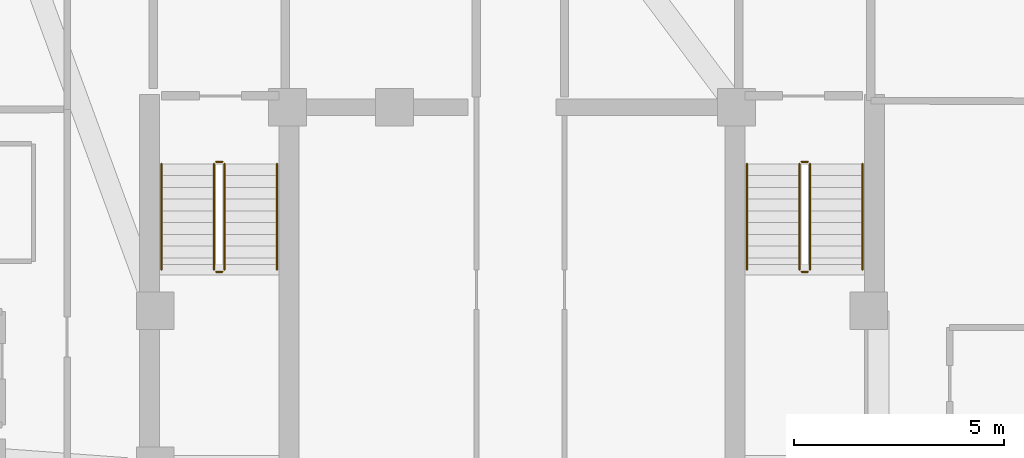
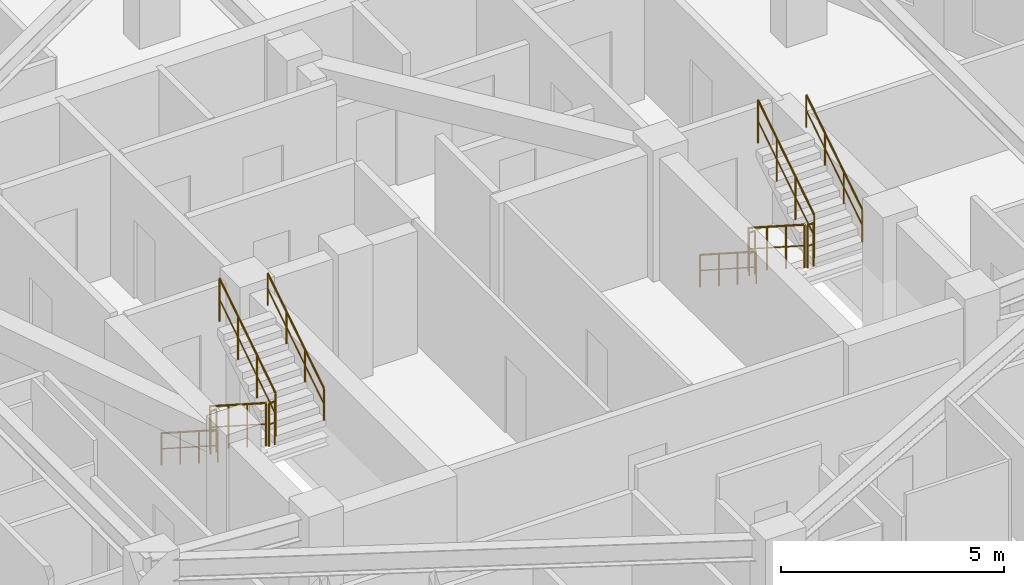
# One storey, part 10 of 10: 12 railings.
"""IFC4 building model written with IfcOpenShell, lengths in metres."""

from ifc_helpers import new_model, si_unit, direction, frame, origin, origin_2d, place, context, subcontext, project, spatial, circle, extrude, material, type_object, element, save


model = new_model("IFC4")

# Units and contexts
model_context = context("Model", 3, precision=1e-05, world=origin(), true_north=direction((0.0, 1.0)))
body_context = subcontext(model_context, "Body", "Model", "MODEL_VIEW")
ifc_project = project(units=[si_unit("LENGTHUNIT", "METRE"), si_unit("AREAUNIT", "SQUARE_METRE"), si_unit("VOLUMEUNIT", "CUBIC_METRE"), si_unit("PLANEANGLEUNIT", "RADIAN"), si_unit("MASSUNIT", "GRAM", prefix="KILO")], contexts=[model_context])

# Site, building, storey
site_placement = place(None, origin())
site = spatial("IfcSite", under=ifc_project, at=site_placement, CompositionType="ELEMENT")
building_placement = place(site_placement, origin())
building = spatial("IfcBuilding", under=site, at=building_placement, Name="Miruveldt Soraemaru", CompositionType="ELEMENT")
storey_placement = place(building_placement, frame((0.0, 0.0, 230.39990234375)))
storey = spatial("IfcBuildingStorey", under=building, at=storey_placement, Name="L63", CompositionType="ELEMENT", Elevation=230.39990234375)

# Railings
ifc_material = material(Name="Steel S355 (355 MPa)", Category="steel")
railing_type_1 = type_object("IfcRailingType", Name="RAIL-HR-900", PredefinedType="HANDRAIL", material=ifc_material)
railing_1_placement = place(storey_placement, frame((35.64990234375, 42.699951171875, 0.18017578125)))
element("IfcRailing", 1, at=railing_1_placement, inside=storey, type_object=railing_type_1, Name="L63 ST-1 stair handrail 1", PredefinedType="HANDRAIL", context=body_context, shape_type="SweptSolid", body=[
    extrude(circle(Radius=0.02392578125, at=origin_2d()), frame((0.0, 0.0, 0.8759765625), z_axis=(0.0, -0.841199657755, 0.540724639528), x_axis=(1.0, 0.0, 0.0)), (0.0, 0.0, 1.0), 2.995849609375),
    extrude(circle(Radius=0.01611328125, at=origin_2d()), frame((0.0, 0.0, 0.449951171875), z_axis=(0.0, -0.841199657755, 0.540724639528), x_axis=(1.0, 0.0, 0.0)), (0.0, 0.0, 1.0), 2.995849609375),
    extrude(circle(Radius=0.02099609375, at=origin_2d()), origin(), (0.0, 0.0, 1.0), 0.851806640625),
    extrude(circle(Radius=0.02099609375, at=origin_2d()), frame((0.0, -0.840087890625, 0.5400390625)), (0.0, 0.0, 1.0), 0.851806640625),
    extrude(circle(Radius=0.02099609375, at=origin_2d()), frame((0.0, -1.679931640625, 1.079833984375)), (0.0, 0.0, 1.0), 0.851806640625),
    extrude(circle(Radius=0.02099609375, at=origin_2d()), frame((0.0, -2.52001953125, 1.619873046875)), (0.0, 0.0, 1.0), 0.851806640625),
])
railing_2_placement = place(storey_placement, frame((38.39990234375, 40.179931640625, 1.97998046875)))
element("IfcRailing", 2, at=railing_2_placement, inside=storey, type_object=railing_type_1, Name="L63 ST-1 stair handrail 2", PredefinedType="HANDRAIL", context=body_context, shape_type="SweptSolid", body=[
    extrude(circle(Radius=0.02392578125, at=origin_2d()), frame((0.0, 0.0, 0.8759765625), z_axis=(0.0, 0.841162588446, 0.540782303519), x_axis=(-1.0, 0.0, 0.0)), (0.0, 0.0, 1.0), 2.995849609375),
    extrude(circle(Radius=0.01611328125, at=origin_2d()), frame((0.0, 0.0, 0.449951171875), z_axis=(0.0, 0.841162588446, 0.540782303519), x_axis=(-1.0, 0.0, 0.0)), (0.0, 0.0, 1.0), 2.995849609375),
    extrude(circle(Radius=0.02099609375, at=origin_2d()), origin(), (0.0, 0.0, 1.0), 0.851806640625),
    extrude(circle(Radius=0.02099609375, at=origin_2d()), frame((0.0, 0.840087890625, 0.5400390625)), (0.0, 0.0, 1.0), 0.851806640625),
    extrude(circle(Radius=0.02099609375, at=origin_2d()), frame((0.0, 1.679931640625, 1.080078125)), (0.0, 0.0, 1.0), 0.851806640625),
    extrude(circle(Radius=0.02099609375, at=origin_2d()), frame((0.0, 2.52001953125, 1.6201171875)), (0.0, 0.0, 1.0), 0.851806640625),
])
railing_3_placement = place(storey_placement, frame((49.60009765625, 42.699951171875, 0.18017578125)))
element("IfcRailing", 3, at=railing_3_placement, inside=storey, type_object=railing_type_1, Name="L63 ST-2 stair handrail 1", PredefinedType="HANDRAIL", context=body_context, shape_type="SweptSolid", body=[
    extrude(circle(Radius=0.02392578125, at=origin_2d()), frame((0.0, 0.0, 0.8759765625), z_axis=(0.0, -0.841199657755, 0.540724639528), x_axis=(1.0, 0.0, 0.0)), (0.0, 0.0, 1.0), 2.995849609375),
    extrude(circle(Radius=0.01611328125, at=origin_2d()), frame((0.0, 0.0, 0.449951171875), z_axis=(0.0, -0.841199657755, 0.540724639528), x_axis=(1.0, 0.0, 0.0)), (0.0, 0.0, 1.0), 2.995849609375),
    extrude(circle(Radius=0.02099609375, at=origin_2d()), origin(), (0.0, 0.0, 1.0), 0.851806640625),
    extrude(circle(Radius=0.02099609375, at=origin_2d()), frame((0.0, -0.840087890625, 0.5400390625)), (0.0, 0.0, 1.0), 0.851806640625),
    extrude(circle(Radius=0.02099609375, at=origin_2d()), frame((0.0, -1.679931640625, 1.079833984375)), (0.0, 0.0, 1.0), 0.851806640625),
    extrude(circle(Radius=0.02099609375, at=origin_2d()), frame((0.0, -2.52001953125, 1.619873046875)), (0.0, 0.0, 1.0), 0.851806640625),
])
railing_4_placement = place(storey_placement, frame((52.35009765625, 40.179931640625, 1.97998046875)))
element("IfcRailing", 4, at=railing_4_placement, inside=storey, type_object=railing_type_1, Name="L63 ST-2 stair handrail 2", PredefinedType="HANDRAIL", context=body_context, shape_type="SweptSolid", body=[
    extrude(circle(Radius=0.02392578125, at=origin_2d()), frame((0.0, 0.0, 0.8759765625), z_axis=(0.0, 0.841162588446, 0.540782303519), x_axis=(-1.0, 0.0, 0.0)), (0.0, 0.0, 1.0), 2.995849609375),
    extrude(circle(Radius=0.01611328125, at=origin_2d()), frame((0.0, 0.0, 0.449951171875), z_axis=(0.0, 0.841162588446, 0.540782303519), x_axis=(-1.0, 0.0, 0.0)), (0.0, 0.0, 1.0), 2.995849609375),
    extrude(circle(Radius=0.02099609375, at=origin_2d()), origin(), (0.0, 0.0, 1.0), 0.851806640625),
    extrude(circle(Radius=0.02099609375, at=origin_2d()), frame((0.0, 0.840087890625, 0.5400390625)), (0.0, 0.0, 1.0), 0.851806640625),
    extrude(circle(Radius=0.02099609375, at=origin_2d()), frame((0.0, 1.679931640625, 1.080078125)), (0.0, 0.0, 1.0), 0.851806640625),
    extrude(circle(Radius=0.02099609375, at=origin_2d()), frame((0.0, 2.52001953125, 1.6201171875)), (0.0, 0.0, 1.0), 0.851806640625),
])
railing_type_2 = type_object("IfcRailingType", Name="RAIL-STGUARD-1200", PredefinedType="GUARDRAIL", material=ifc_material)
railing_5_placement = place(storey_placement, frame((36.89990234375, 42.699951171875, 0.18017578125)))
element("IfcRailing", 5, at=railing_5_placement, inside=storey, type_object=railing_type_2, Name="L63 ST-1 stair guard 1", PredefinedType="GUARDRAIL", context=body_context, shape_type="SweptSolid", body=[
    extrude(circle(Radius=0.02392578125, at=origin_2d()), frame((0.0, 0.0, 1.17578125), z_axis=(0.0, -0.841199657755, 0.540724639528), x_axis=(1.0, 0.0, 0.0)), (0.0, 0.0, 1.0), 2.995849609375),
    extrude(circle(Radius=0.01611328125, at=origin_2d()), frame((0.0, 0.0, 0.60009765625), z_axis=(0.0, -0.841199657755, 0.540724639528), x_axis=(1.0, 0.0, 0.0)), (0.0, 0.0, 1.0), 2.995849609375),
    extrude(circle(Radius=0.02099609375, at=origin_2d()), origin(), (0.0, 0.0, 1.0), 1.15185546875),
    extrude(circle(Radius=0.02099609375, at=origin_2d()), frame((0.0, -0.840087890625, 0.5400390625)), (0.0, 0.0, 1.0), 1.15185546875),
    extrude(circle(Radius=0.02099609375, at=origin_2d()), frame((0.0, -1.679931640625, 1.079833984375)), (0.0, 0.0, 1.0), 1.15185546875),
    extrude(circle(Radius=0.02099609375, at=origin_2d()), frame((0.0, -2.52001953125, 1.619873046875)), (0.0, 0.0, 1.0), 1.15185546875),
])
railing_6_placement = place(storey_placement, frame((36.949951171875, 40.1298828125, 1.800048828125)))
element("IfcRailing", 6, at=railing_6_placement, inside=storey, type_object=railing_type_2, Name="L63 ST-1 stair guard 2", PredefinedType="GUARDRAIL", context=body_context, shape_type="SweptSolid", body=[
    extrude(circle(Radius=0.02392578125, at=origin_2d()), frame((0.0, 0.0, 1.17578125), z_axis=(1.0, 0.0, 0.0), x_axis=(0.0, 1.0, 0.0)), (0.0, 0.0, 1.0), 0.150146484375),
    extrude(circle(Radius=0.01611328125, at=origin_2d()), frame((0.0, 0.0, 0.60009765625), z_axis=(1.0, 0.0, 0.0), x_axis=(0.0, 1.0, 0.0)), (0.0, 0.0, 1.0), 0.150146484375),
    extrude(circle(Radius=0.02099609375, at=origin_2d()), origin(), (0.0, 0.0, 1.0), 1.15185546875),
    extrude(circle(Radius=0.02099609375, at=origin_2d()), frame((0.150146484375, 0.0, 0.0)), (0.0, 0.0, 1.0), 1.15185546875),
])
railing_7_placement = place(storey_placement, frame((37.14990234375, 40.179931640625, 1.97998046875)))
element("IfcRailing", 7, at=railing_7_placement, inside=storey, type_object=railing_type_2, Name="L63 ST-1 stair guard 3", PredefinedType="GUARDRAIL", context=body_context, shape_type="SweptSolid", body=[
    extrude(circle(Radius=0.02392578125, at=origin_2d()), frame((0.0, 0.0, 1.17578125), z_axis=(0.0, 0.841162588446, 0.540782303519), x_axis=(-1.0, 0.0, 0.0)), (0.0, 0.0, 1.0), 2.995849609375),
    extrude(circle(Radius=0.01611328125, at=origin_2d()), frame((0.0, 0.0, 0.60009765625), z_axis=(0.0, 0.841162588446, 0.540782303519), x_axis=(-1.0, 0.0, 0.0)), (0.0, 0.0, 1.0), 2.995849609375),
    extrude(circle(Radius=0.02099609375, at=origin_2d()), origin(), (0.0, 0.0, 1.0), 1.15185546875),
    extrude(circle(Radius=0.02099609375, at=origin_2d()), frame((0.0, 0.840087890625, 0.5400390625)), (0.0, 0.0, 1.0), 1.15185546875),
    extrude(circle(Radius=0.02099609375, at=origin_2d()), frame((0.0, 1.679931640625, 1.080078125)), (0.0, 0.0, 1.0), 1.15185546875),
    extrude(circle(Radius=0.02099609375, at=origin_2d()), frame((0.0, 2.52001953125, 1.6201171875)), (0.0, 0.0, 1.0), 1.15185546875),
])
railing_8_placement = place(storey_placement, frame((36.949951171875, 42.75, 0.0)))
element("IfcRailing", 8, at=railing_8_placement, inside=storey, type_object=railing_type_2, Name="L63 ST-1 stair guard 4", PredefinedType="GUARDRAIL", context=body_context, shape_type="SweptSolid", body=[
    extrude(circle(Radius=0.02392578125, at=origin_2d()), frame((0.0, 0.0, 1.17578125), z_axis=(1.0, 0.0, 0.0), x_axis=(0.0, 1.0, 0.0)), (0.0, 0.0, 1.0), 0.150146484375),
    extrude(circle(Radius=0.01611328125, at=origin_2d()), frame((0.0, 0.0, 0.60009765625), z_axis=(1.0, 0.0, 0.0), x_axis=(0.0, 1.0, 0.0)), (0.0, 0.0, 1.0), 0.150146484375),
    extrude(circle(Radius=0.02099609375, at=origin_2d()), origin(), (0.0, 0.0, 1.0), 1.15185546875),
    extrude(circle(Radius=0.02099609375, at=origin_2d()), frame((0.150146484375, 0.0, 0.0)), (0.0, 0.0, 1.0), 1.15185546875),
])
railing_9_placement = place(storey_placement, frame((50.85009765625, 42.699951171875, 0.18017578125)))
element("IfcRailing", 9, at=railing_9_placement, inside=storey, type_object=railing_type_2, Name="L63 ST-2 stair guard 1", PredefinedType="GUARDRAIL", context=body_context, shape_type="SweptSolid", body=[
    extrude(circle(Radius=0.02392578125, at=origin_2d()), frame((0.0, 0.0, 1.17578125), z_axis=(0.0, -0.841199657755, 0.540724639528), x_axis=(1.0, 0.0, 0.0)), (0.0, 0.0, 1.0), 2.995849609375),
    extrude(circle(Radius=0.01611328125, at=origin_2d()), frame((0.0, 0.0, 0.60009765625), z_axis=(0.0, -0.841199657755, 0.540724639528), x_axis=(1.0, 0.0, 0.0)), (0.0, 0.0, 1.0), 2.995849609375),
    extrude(circle(Radius=0.02099609375, at=origin_2d()), origin(), (0.0, 0.0, 1.0), 1.15185546875),
    extrude(circle(Radius=0.02099609375, at=origin_2d()), frame((0.0, -0.840087890625, 0.5400390625)), (0.0, 0.0, 1.0), 1.15185546875),
    extrude(circle(Radius=0.02099609375, at=origin_2d()), frame((0.0, -1.679931640625, 1.079833984375)), (0.0, 0.0, 1.0), 1.15185546875),
    extrude(circle(Radius=0.02099609375, at=origin_2d()), frame((0.0, -2.52001953125, 1.619873046875)), (0.0, 0.0, 1.0), 1.15185546875),
])
railing_10_placement = place(storey_placement, frame((50.89990234375, 40.1298828125, 1.800048828125)))
element("IfcRailing", 10, at=railing_10_placement, inside=storey, type_object=railing_type_2, Name="L63 ST-2 stair guard 2", PredefinedType="GUARDRAIL", context=body_context, shape_type="SweptSolid", body=[
    extrude(circle(Radius=0.02392578125, at=origin_2d()), frame((0.0, 0.0, 1.17578125), z_axis=(1.0, 0.0, 0.0), x_axis=(0.0, 1.0, 0.0)), (0.0, 0.0, 1.0), 0.150146484375),
    extrude(circle(Radius=0.01611328125, at=origin_2d()), frame((0.0, 0.0, 0.60009765625), z_axis=(1.0, 0.0, 0.0), x_axis=(0.0, 1.0, 0.0)), (0.0, 0.0, 1.0), 0.150146484375),
    extrude(circle(Radius=0.02099609375, at=origin_2d()), origin(), (0.0, 0.0, 1.0), 1.15185546875),
    extrude(circle(Radius=0.02099609375, at=origin_2d()), frame((0.150146484375, 0.0, 0.0)), (0.0, 0.0, 1.0), 1.15185546875),
])
railing_11_placement = place(storey_placement, frame((51.10009765625, 40.179931640625, 1.97998046875)))
element("IfcRailing", 11, at=railing_11_placement, inside=storey, type_object=railing_type_2, Name="L63 ST-2 stair guard 3", PredefinedType="GUARDRAIL", context=body_context, shape_type="SweptSolid", body=[
    extrude(circle(Radius=0.02392578125, at=origin_2d()), frame((0.0, 0.0, 1.17578125), z_axis=(0.0, 0.841162588446, 0.540782303519), x_axis=(-1.0, 0.0, 0.0)), (0.0, 0.0, 1.0), 2.995849609375),
    extrude(circle(Radius=0.01611328125, at=origin_2d()), frame((0.0, 0.0, 0.60009765625), z_axis=(0.0, 0.841162588446, 0.540782303519), x_axis=(-1.0, 0.0, 0.0)), (0.0, 0.0, 1.0), 2.995849609375),
    extrude(circle(Radius=0.02099609375, at=origin_2d()), origin(), (0.0, 0.0, 1.0), 1.15185546875),
    extrude(circle(Radius=0.02099609375, at=origin_2d()), frame((0.0, 0.840087890625, 0.5400390625)), (0.0, 0.0, 1.0), 1.15185546875),
    extrude(circle(Radius=0.02099609375, at=origin_2d()), frame((0.0, 1.679931640625, 1.080078125)), (0.0, 0.0, 1.0), 1.15185546875),
    extrude(circle(Radius=0.02099609375, at=origin_2d()), frame((0.0, 2.52001953125, 1.6201171875)), (0.0, 0.0, 1.0), 1.15185546875),
])
railing_12_placement = place(storey_placement, frame((50.89990234375, 42.75, 0.0)))
element("IfcRailing", 12, at=railing_12_placement, inside=storey, type_object=railing_type_2, Name="L63 ST-2 stair guard 4", PredefinedType="GUARDRAIL", context=body_context, shape_type="SweptSolid", body=[
    extrude(circle(Radius=0.02392578125, at=origin_2d()), frame((0.0, 0.0, 1.17578125), z_axis=(1.0, 0.0, 0.0), x_axis=(0.0, 1.0, 0.0)), (0.0, 0.0, 1.0), 0.150146484375),
    extrude(circle(Radius=0.01611328125, at=origin_2d()), frame((0.0, 0.0, 0.60009765625), z_axis=(1.0, 0.0, 0.0), x_axis=(0.0, 1.0, 0.0)), (0.0, 0.0, 1.0), 0.150146484375),
    extrude(circle(Radius=0.02099609375, at=origin_2d()), origin(), (0.0, 0.0, 1.0), 1.15185546875),
    extrude(circle(Radius=0.02099609375, at=origin_2d()), frame((0.150146484375, 0.0, 0.0)), (0.0, 0.0, 1.0), 1.15185546875),
])

save(model, "model.ifc")
